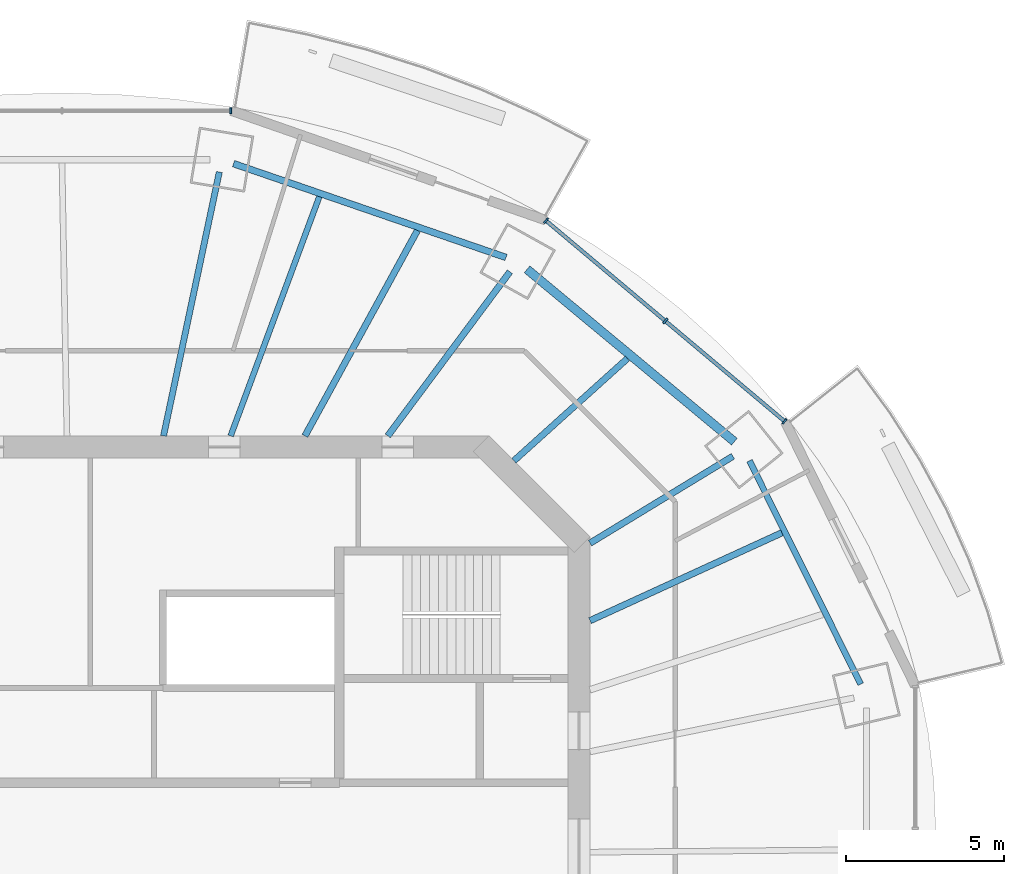
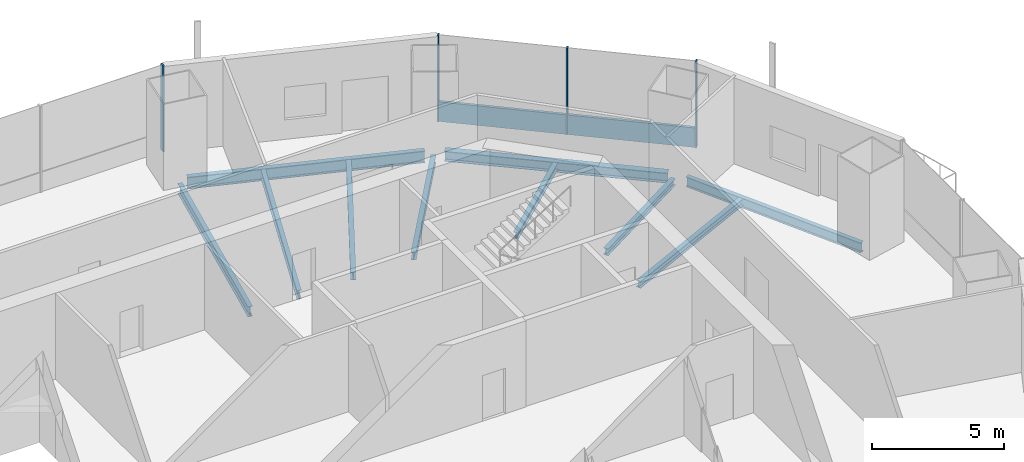
# One storey, part 6 of 16: 10 beams, 5 members, 2 elements without a shape of their own.
"""IFC4 building model written with IfcOpenShell, lengths in metres."""

from ifc_helpers import new_model, si_unit, direction, frame, origin, origin_2d, place, context, subcontext, project, spatial, rectangle, i_section, extrude, material, material_profile, profile_set, type_object, element, aggregate, save


model = new_model("IFC4")

# Units and contexts
model_context = context("Model", 3, precision=1e-05, world=origin(), true_north=direction((0.0, 1.0)))
body_context = subcontext(model_context, "Body", "Model", "MODEL_VIEW")
ifc_project = project(units=[si_unit("LENGTHUNIT", "METRE"), si_unit("AREAUNIT", "SQUARE_METRE"), si_unit("VOLUMEUNIT", "CUBIC_METRE"), si_unit("PLANEANGLEUNIT", "RADIAN"), si_unit("MASSUNIT", "GRAM", prefix="KILO")], contexts=[model_context])

# Site, building, storey
site_placement = place(None, origin())
site = spatial("IfcSite", under=ifc_project, at=site_placement, CompositionType="ELEMENT")
building_placement = place(site_placement, origin())
building = spatial("IfcBuilding", under=site, at=building_placement, Name="Marenthal Gate Tower", CompositionType="ELEMENT")
storey_placement = place(building_placement, frame((0.0, 0.0, 321.85009765625)))
storey = spatial("IfcBuildingStorey", under=building, at=storey_placement, Name="L72", CompositionType="ELEMENT", Elevation=321.85009765625)

# Curtain wall, members
ifc_material_1 = material(Name="Aluminium and glass", Category="aluminium")
curtain_wall_type = type_object("IfcCurtainWallType", Name="Curtain wall typical high", PredefinedType="NOTDEFINED", material=ifc_material_1)
curtain_wall_1_placement = place(storey_placement, origin())
curtain_wall_1 = element("IfcCurtainWall", 1, at=curtain_wall_1_placement, inside=storey, type_object=curtain_wall_type, Name="Curtain wall L72 bay 2", PredefinedType="NOTDEFINED")
ifc_material_2 = material(Name="Aluminium", Category="aluminium")
ifc_material_profile_1 = material_profile(ifc_material_2, rectangle(XDim=0.199951171875, YDim=0.06005859375, at=origin_2d()), Name="60x200 aluminium mullion")
ifc_profile_set_1 = profile_set([ifc_material_profile_1], Name="Aluminium")
member_type_1 = type_object("IfcMemberType", Name="Mullion 60x200 typical high", PredefinedType="MULLION", material=ifc_profile_set_1)
member_1_placement = place(storey_placement, frame((22.51904296875, 13.8125, 0.0), z_axis=(0.0, 0.0, 1.0), x_axis=(-0.643676220215, -0.76529793122, 0.0)))
member_1 = element("IfcMember", 2, at=member_1_placement, type_object=member_type_1, Name="Mullion L72 bay 2.1", PredefinedType="MULLION", context=body_context, shape_type="SweptSolid", body=[
    extrude(rectangle(XDim=0.199951171875, YDim=0.06005859375, at=origin_2d()), origin(), (0.0, 0.0, 1.0), 3.969970703125),
])
member_2_placement = place(storey_placement, frame((18.735595703125, 16.994384765625, 0.0), z_axis=(0.0, 0.0, 1.0), x_axis=(-0.643676220215, -0.76529793122, 0.0)))
member_2 = element("IfcMember", 3, at=member_2_placement, type_object=member_type_1, Name="Mullion L72 bay 2.2", PredefinedType="MULLION", context=body_context, shape_type="SweptSolid", body=[
    extrude(rectangle(XDim=0.199951171875, YDim=0.06005859375, at=origin_2d()), origin(), (0.0, 0.0, 1.0), 3.969970703125),
])
member_3_placement = place(storey_placement, frame((14.952392578125, 20.176513671875, 0.0), z_axis=(0.0, 0.0, 1.0), x_axis=(-0.643676220215, -0.76529793122, 0.0)))
member_3 = element("IfcMember", 4, at=member_3_placement, type_object=member_type_1, Name="Mullion L72 bay 2.3", PredefinedType="MULLION", context=body_context, shape_type="SweptSolid", body=[
    extrude(rectangle(XDim=0.199951171875, YDim=0.06005859375, at=origin_2d()), origin(), (0.0, 0.0, 1.0), 3.969970703125),
])

# Curtain wall, member
curtain_wall_2_placement = place(storey_placement, origin())
curtain_wall_2 = element("IfcCurtainWall", 5, at=curtain_wall_2_placement, inside=storey, type_object=curtain_wall_type, Name="Curtain wall L72 bay 4", PredefinedType="NOTDEFINED")
member_4_placement = place(storey_placement, frame((4.952880859375, 23.6611328125, 0.0), z_axis=(0.0, 0.0, 1.0), x_axis=(0.0, -1.0, 0.0)))
member_4 = element("IfcMember", 6, at=member_4_placement, type_object=member_type_1, Name="Mullion L72 bay 4.1", PredefinedType="MULLION", context=body_context, shape_type="SweptSolid", body=[
    extrude(rectangle(XDim=0.199951171875, YDim=0.06005859375, at=origin_2d()), origin(), (0.0, 0.0, 1.0), 3.969970703125),
])
aggregate(curtain_wall_2, [member_4])

# Member
ifc_material_3 = material(Name="Aluminium", Category="aluminium")
ifc_material_profile_2 = material_profile(ifc_material_3, rectangle(XDim=0.1201171875, YDim=0.89990234375, at=origin_2d()), Name="120x900 aluminium transom")
ifc_profile_set_2 = profile_set([ifc_material_profile_2], Name="Aluminium")
member_type_2 = type_object("IfcMemberType", Name="Transom 120x900 typical high", PredefinedType="USERDEFINED", material=ifc_profile_set_2)
member_5_placement = place(storey_placement, frame((22.49609375, 13.831787109375, 0.449951171875), z_axis=(-0.765303397989, 0.643669720451, 0.0), x_axis=(-0.643669720451, -0.765303397989, 0.0)))
member_5 = element("IfcMember", 7, at=member_5_placement, type_object=member_type_2, Name="Transom L72 bay 2", ObjectType="TRANSOM", PredefinedType="USERDEFINED", context=body_context, shape_type="SweptSolid", body=[
    extrude(rectangle(XDim=0.1201171875, YDim=0.89990234375, at=origin_2d()), origin(), (0.0, 0.0, 1.0), 9.8271484375),
])

aggregate(curtain_wall_1, [member_1, member_2, member_3, member_5])

# Beams
ifc_material_4 = material(Name="Steel S355", Category="steel")
ifc_material_profile_3 = material_profile(ifc_material_4, i_section(OverallWidth=0.202880859375, OverallDepth=0.302001953125, WebThickness=0.007568359375, FlangeThickness=0.01318359375, FilletRadius=0.0126953125, at=origin_2d()), Name="W310X60")
ifc_profile_set_3 = profile_set([ifc_material_profile_3], Name="Steel S355")
beam_type_1 = type_object("IfcBeamType", Name="W310X60 beam", PredefinedType="BEAM", material=ifc_profile_set_3)
beam_1_placement = place(storey_placement, frame((17.53515625, 15.804443359375, -0.3310546875), z_axis=(-0.742805488251, -0.669507286461, 0.0), x_axis=(0.669507286461, -0.742805488251, 0.0)))
element("IfcBeam", 8, at=beam_1_placement, inside=storey, type_object=beam_type_1, Name="BM-L72-19", PredefinedType="BEAM", context=body_context, shape_type="SweptSolid", body=[
    extrude(i_section(OverallWidth=0.202880859375, OverallDepth=0.302001953125, WebThickness=0.007568359375, FlangeThickness=0.01318359375, FilletRadius=0.0126953125, at=origin_2d()), origin(), (0.0, 0.0, 1.0), 4.84619140625),
])
ifc_material_5 = material(Name="Steel S355", Category="steel")
ifc_material_profile_4 = material_profile(ifc_material_5, i_section(OverallWidth=0.205078125, OverallDepth=0.31005859375, WebThickness=0.009521484375, FlangeThickness=0.016357421875, FilletRadius=0.0126953125, at=origin_2d()), Name="W310X74")
ifc_profile_set_4 = profile_set([ifc_material_profile_4], Name="Steel S355")
beam_type_2 = type_object("IfcBeamType", Name="W310X74 beam", PredefinedType="BEAM", material=ifc_profile_set_4)
beam_2_placement = place(storey_placement, frame((20.8798828125, 12.703369140625, -0.335205078125), z_axis=(-0.854315900553, -0.519754116926, 0.0), x_axis=(0.519754116926, -0.854315900553, 0.0)))
element("IfcBeam", 9, at=beam_2_placement, inside=storey, type_object=beam_type_2, Name="BM-L72-02", PredefinedType="BEAM", context=body_context, shape_type="SweptSolid", body=[
    extrude(i_section(OverallWidth=0.205078125, OverallDepth=0.31005859375, WebThickness=0.009521484375, FlangeThickness=0.016357421875, FilletRadius=0.0126953125, at=origin_2d()), origin(), (0.0, 0.0, 1.0), 5.30224609375),
])
beam_3_placement = place(storey_placement, frame((22.43603515625, 10.27685546875, -0.335205078125), z_axis=(-0.909152291701, -0.416463816549, 0.0), x_axis=(0.416463816549, -0.909152291701, 0.0)))
element("IfcBeam", 10, at=beam_3_placement, inside=storey, type_object=beam_type_2, Name="BM-L72-18", PredefinedType="BEAM", context=body_context, shape_type="SweptSolid", body=[
    extrude(i_section(OverallWidth=0.205078125, OverallDepth=0.31005859375, WebThickness=0.009521484375, FlangeThickness=0.016357421875, FilletRadius=0.0126953125, at=origin_2d()), origin(), (0.0, 0.0, 1.0), 6.694091796875),
])
ifc_material_6 = material(Name="Steel S355", Category="steel")
ifc_material_profile_5 = material_profile(ifc_material_6, i_section(OverallWidth=0.205078125, OverallDepth=0.35302734375, WebThickness=0.009521484375, FlangeThickness=0.016845703125, FilletRadius=0.014892578125, at=origin_2d()), Name="W360X79")
ifc_profile_set_5 = profile_set([ifc_material_profile_5], Name="Steel S355")
beam_type_3 = type_object("IfcBeamType", Name="W360X79 beam", PredefinedType="BEAM", material=ifc_profile_set_5)
beam_4_placement = place(storey_placement, frame((13.807861328125, 18.554931640625, -0.356689453125), z_axis=(-0.597003447578, -0.80223866996, 0.0), x_axis=(0.80223866996, -0.597003447578, 0.0)))
element("IfcBeam", 11, at=beam_4_placement, inside=storey, type_object=beam_type_3, Name="BM-L72-03", PredefinedType="BEAM", context=body_context, shape_type="SweptSolid", body=[
    extrude(i_section(OverallWidth=0.205078125, OverallDepth=0.35302734375, WebThickness=0.009521484375, FlangeThickness=0.016845703125, FilletRadius=0.014892578125, at=origin_2d()), origin(), (0.0, 0.0, 1.0), 6.48779296875),
])
beam_5_placement = place(storey_placement, frame((10.874267578125, 19.8642578125, -0.356689453125), z_axis=(-0.480199005687, -0.877159572106, 0.0), x_axis=(0.877159572106, -0.480199005687, 0.0)))
element("IfcBeam", 12, at=beam_5_placement, inside=storey, type_object=beam_type_3, Name="BM-L72-20", PredefinedType="BEAM", context=body_context, shape_type="SweptSolid", body=[
    extrude(i_section(OverallWidth=0.205078125, OverallDepth=0.35302734375, WebThickness=0.009521484375, FlangeThickness=0.016845703125, FilletRadius=0.014892578125, at=origin_2d()), origin(), (0.0, 0.0, 1.0), 7.426513671875),
])
ifc_material_7 = material(Name="Steel S355", Category="steel")
ifc_material_profile_6 = material_profile(ifc_material_7, i_section(OverallWidth=0.180908203125, OverallDepth=0.4169921875, WebThickness=0.010986328125, FlangeThickness=0.018310546875, FilletRadius=0.01025390625, at=origin_2d()), Name="W410X85")
ifc_profile_set_6 = profile_set([ifc_material_profile_6], Name="Steel S355")
beam_type_4 = type_object("IfcBeamType", Name="W410X85 beam", PredefinedType="BEAM", material=ifc_profile_set_6)
beam_6_placement = place(storey_placement, frame((7.763427734375, 20.935546875, -0.388671875), z_axis=(-0.347701569799, -0.937605257216, 0.0), x_axis=(0.937605257216, -0.347701569799, 0.0)))
element("IfcBeam", 13, at=beam_6_placement, inside=storey, type_object=beam_type_4, Name="BM-L72-21", PredefinedType="BEAM", context=body_context, shape_type="SweptSolid", body=[
    extrude(i_section(OverallWidth=0.180908203125, OverallDepth=0.4169921875, WebThickness=0.010986328125, FlangeThickness=0.018310546875, FilletRadius=0.01025390625, at=origin_2d()), origin(), (0.0, 0.0, 1.0), 8.09033203125),
])
ifc_material_8 = material(Name="Steel S355", Category="steel")
ifc_material_profile_7 = material_profile(ifc_material_8, i_section(OverallWidth=0.279052734375, OverallDepth=0.4619140625, WebThickness=0.0107421875, FlangeThickness=0.017333984375, FilletRadius=0.010009765625, at=origin_2d()), Name="W460X113")
ifc_profile_set_7 = profile_set([ifc_material_profile_7], Name="Steel S355")
beam_type_5 = type_object("IfcBeamType", Name="W460X113 beam", PredefinedType="BEAM", material=ifc_profile_set_7)
beam_7_placement = place(storey_placement, frame((20.92626953125, 13.16650390625, -0.4111328125), z_axis=(-0.768948693019, 0.639310493817, 0.0), x_axis=(-0.639310493817, -0.768948693019, 0.0)))
element("IfcBeam", 14, at=beam_7_placement, inside=storey, type_object=beam_type_5, Name="BM-L72-42", PredefinedType="BEAM", context=body_context, shape_type="SweptSolid", body=[
    extrude(i_section(OverallWidth=0.279052734375, OverallDepth=0.4619140625, WebThickness=0.0107421875, FlangeThickness=0.017333984375, FilletRadius=0.010009765625, at=origin_2d()), origin(), (0.0, 0.0, 1.0), 8.550048828125),
])
ifc_material_9 = material(Name="Steel S355", Category="steel")
ifc_material_profile_8 = material_profile(ifc_material_9, i_section(OverallWidth=0.19091796875, OverallDepth=0.45703125, WebThickness=0.009033203125, FlangeThickness=0.014404296875, FilletRadius=0.01025390625, at=origin_2d()), Name="W460X74")
ifc_profile_set_8 = profile_set([ifc_material_profile_8], Name="Steel S355")
beam_type_6 = type_object("IfcBeamType", Name="W460X74 beam", PredefinedType="BEAM", material=ifc_profile_set_8)
beam_8_placement = place(storey_placement, frame((24.934814453125, 5.4755859375, -0.40869140625), z_axis=(-0.445942547234, 0.895061587024, 0.0), x_axis=(-0.895061587024, -0.445942547234, 0.0)))
element("IfcBeam", 15, at=beam_8_placement, inside=storey, type_object=beam_type_6, Name="BM-L72-41", PredefinedType="BEAM", context=body_context, shape_type="SweptSolid", body=[
    extrude(i_section(OverallWidth=0.19091796875, OverallDepth=0.45703125, WebThickness=0.009033203125, FlangeThickness=0.014404296875, FilletRadius=0.01025390625, at=origin_2d()), origin(), (0.0, 0.0, 1.0), 7.91650390625),
])
ifc_material_10 = material(Name="Steel S355", Category="steel")
ifc_material_profile_9 = material_profile(ifc_material_10, i_section(OverallWidth=0.193115234375, OverallDepth=0.467041015625, WebThickness=0.011474609375, FlangeThickness=0.01904296875, FilletRadius=0.010009765625, at=origin_2d()), Name="W460X97")
ifc_profile_set_9 = profile_set([ifc_material_profile_9], Name="Steel S355")
beam_type_7 = type_object("IfcBeamType", Name="W460X97 beam", PredefinedType="BEAM", material=ifc_profile_set_9)
beam_9_placement = place(storey_placement, frame((4.591796875, 21.71923828125, -0.41357421875), z_axis=(-0.206834606469, -0.978375922418, 0.0), x_axis=(0.978375922418, -0.206834606469, 0.0)))
element("IfcBeam", 16, at=beam_9_placement, inside=storey, type_object=beam_type_7, Name="BM-L72-04", PredefinedType="BEAM", context=body_context, shape_type="SweptSolid", body=[
    extrude(i_section(OverallWidth=0.193115234375, OverallDepth=0.467041015625, WebThickness=0.011474609375, FlangeThickness=0.01904296875, FilletRadius=0.010009765625, at=origin_2d()), origin(), (0.0, 0.0, 1.0), 8.55419921875),
])
ifc_material_11 = material(Name="Steel S355", Category="steel")
ifc_material_profile_10 = material_profile(ifc_material_11, i_section(OverallWidth=0.2119140625, OverallDepth=0.5439453125, WebThickness=0.01318359375, FlangeThickness=0.021240234375, FilletRadius=0.0126953125, at=origin_2d()), Name="W530X123")
ifc_profile_set_10 = profile_set([ifc_material_profile_10], Name="Steel S355")
beam_type_8 = type_object("IfcBeamType", Name="W530X123 beam", PredefinedType="BEAM", material=ifc_profile_set_10)
beam_10_placement = place(storey_placement, frame((13.68408203125, 19.0087890625, -0.4521484375), z_axis=(-0.945509417858, 0.325594749254, 0.0), x_axis=(-0.325594749254, -0.945509417858, 0.0)))
element("IfcBeam", 17, at=beam_10_placement, inside=storey, type_object=beam_type_8, Name="BM-L72-43", PredefinedType="BEAM", context=body_context, shape_type="SweptSolid", body=[
    extrude(i_section(OverallWidth=0.2119140625, OverallDepth=0.5439453125, WebThickness=0.01318359375, FlangeThickness=0.021240234375, FilletRadius=0.0126953125, at=origin_2d()), origin(), (0.0, 0.0, 1.0), 9.14111328125),
])

save(model, "model.ifc")
